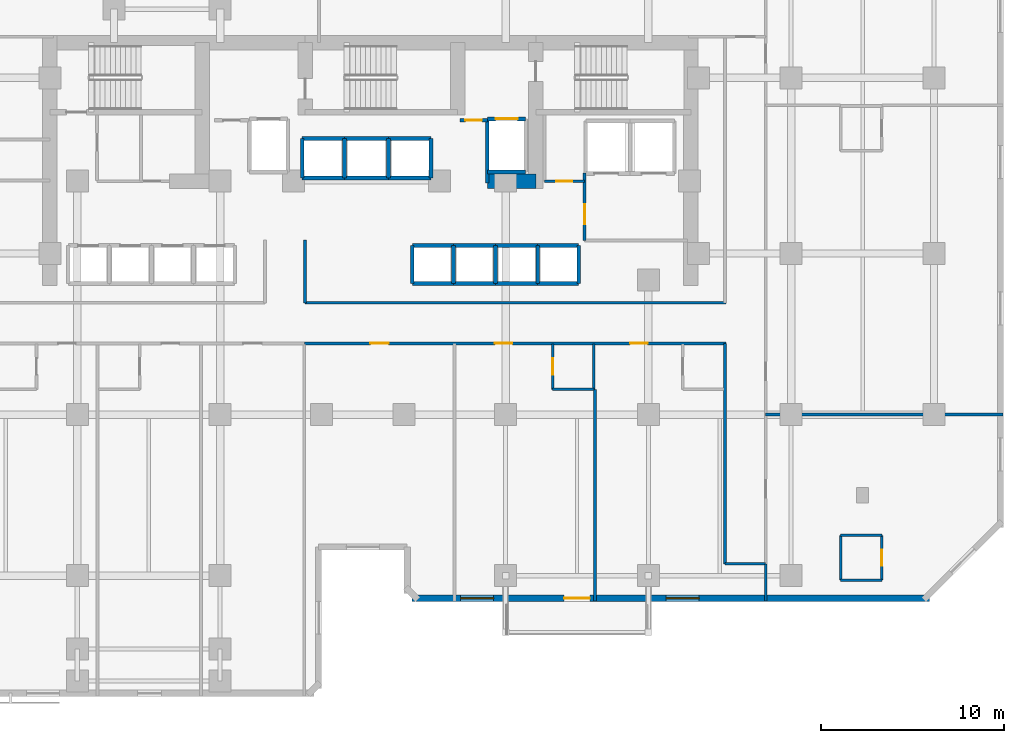
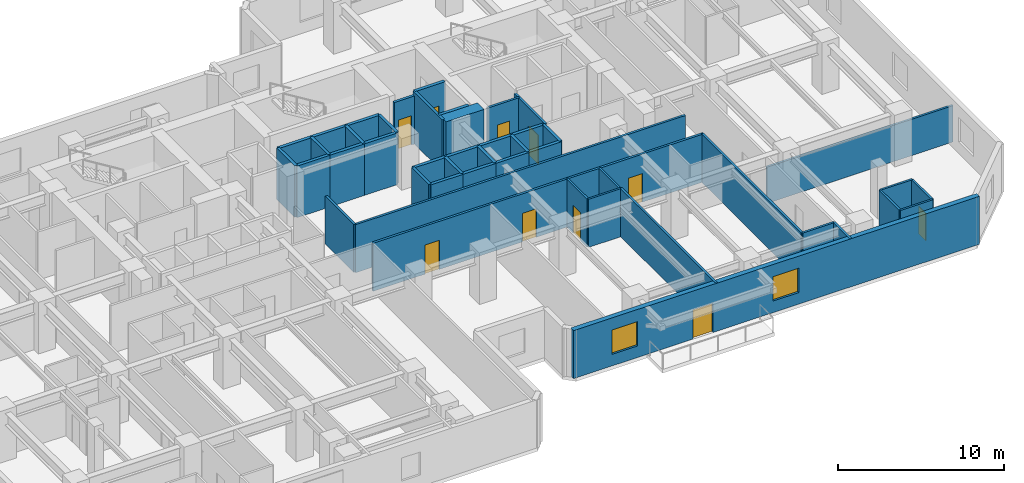
# One storey, part 8 of 13: 46 walls, 10 doors, 2 windows, 12 openings.
"""IFC4 building model written with IfcOpenShell, lengths in metres."""

import ifcopenshell
import ifcopenshell.guid

model = None  # the IFC model being written
_history = None  # IfcOwnerHistory: only IFC2X3 demands one
_inside = {}  # id of a spatial element -> (the spatial element, [elements in it])
_under = {}  # id of a project, library or spatial element -> (it, [spatial elements below it])
_declared = {}  # id of a project -> (the project, [libraries it declares])
_typed = {}  # id of a type object -> (the type object, [elements of that type])
_made_of = {}  # id of a material, layer set ... -> (it, [elements and type objects made of it])


def new_model(schema):
    """Start an empty IFC model of exactly this schema.

    Asked for "IFC4X3", IfcOpenShell would pick the latest addendum, in which some entities
    have other attributes; the version numbers below select the first issue.
    IFC2X3 requires an IfcOwnerHistory on every rooted entity: one is made here for all.
    """
    global model, _history
    if schema == "IFC4X3":
        model = ifcopenshell.file(schema_version=(4, 3, 0, 0))
    else:
        model = ifcopenshell.file(schema=schema)
    _inside.clear()
    _under.clear()
    _declared.clear()
    _typed.clear()
    _made_of.clear()
    _history = None
    if model.schema == "IFC2X3":
        org = make("IfcOrganization", Name="unknown")
        user = make(
            "IfcPersonAndOrganization",
            ThePerson=make("IfcPerson", FamilyName="unknown"),
            TheOrganization=org,
        )
        app = make(
            "IfcApplication",
            ApplicationDeveloper=org,
            Version="unknown",
            ApplicationFullName="unknown",
            ApplicationIdentifier="unknown",
        )
        _history = make(
            "IfcOwnerHistory",
            OwningUser=user,
            OwningApplication=app,
            ChangeAction="ADDED",
            CreationDate=0,
        )
    return model


def make(cls, **values):
    """One entity of the class cls with the attributes given. An attribute that is None is left unset."""
    return model.create_entity(
        cls, **{name: value for name, value in values.items() if value is not None}
    )


def rooted(cls, **values):
    """An entity with a GlobalId (a new one), such as an element, a storey or a relation."""
    return make(cls, GlobalId=ifcopenshell.guid.new(), OwnerHistory=_history, **values)


def si_unit(unit_type, name, prefix=None):
    """IfcSIUnit, for example si_unit("LENGTHUNIT", "METRE", prefix="MILLI")."""
    return make("IfcSIUnit", UnitType=unit_type, Prefix=prefix, Name=name)


def assignment(units):
    """IfcUnitAssignment: the units of a project."""
    return None if units is None else make("IfcUnitAssignment", Units=units)


def point(xyz):
    """IfcCartesianPoint."""
    return None if xyz is None else make("IfcCartesianPoint", Coordinates=xyz)


def direction(xyz):
    """IfcDirection."""
    return None if xyz is None else make("IfcDirection", DirectionRatios=xyz)


def frame(location, z_axis=None, x_axis=None):
    """IfcAxis2Placement3D, a coordinate frame: its origin and axes. An axis left out is left unset."""
    return make(
        "IfcAxis2Placement3D",
        Location=point(location),
        Axis=direction(z_axis),
        RefDirection=direction(x_axis),
    )


def frame_2d(location, x_axis=None):
    """IfcAxis2Placement2D, a coordinate frame in the plane: its origin and x axis."""
    return make(
        "IfcAxis2Placement2D", Location=point(location), RefDirection=direction(x_axis)
    )


def origin():
    """The frame at (0, 0, 0) with its axes left unset."""
    return frame((0.0, 0.0, 0.0))


def place(relative_to, where):
    """IfcLocalPlacement: puts the frame where relative to a parent placement (None: the world)."""
    return make(
        "IfcLocalPlacement", PlacementRelTo=relative_to, RelativePlacement=where
    )


def context(
    kind, dimensions, precision=None, world=None, true_north=None, identifier=None
):
    """IfcGeometricRepresentationContext, for example the 3D "Model" context."""
    return make(
        "IfcGeometricRepresentationContext",
        ContextIdentifier=identifier,
        ContextType=kind,
        CoordinateSpaceDimension=dimensions,
        Precision=precision,
        WorldCoordinateSystem=world,
        TrueNorth=true_north,
    )


def subcontext(parent, identifier, kind, view, scale=None):
    """IfcGeometricRepresentationSubContext, for example "Body" below "Model"."""
    return make(
        "IfcGeometricRepresentationSubContext",
        ContextIdentifier=identifier,
        ContextType=kind,
        ParentContext=parent,
        TargetScale=scale,
        TargetView=view,
    )


def project(units=None, contexts=None):
    """IfcProject with its units and contexts."""
    return rooted(
        "IfcProject",
        Name="project",
        RepresentationContexts=contexts,
        UnitsInContext=assignment(units),
    )


def spatial(cls, under=None, at=None, **own):
    """A site, building, storey or space (cls), placed at a placement, below another one or the project."""
    s = rooted(cls, ObjectPlacement=at, **own)
    if under is not None:
        _under.setdefault(under.id(), (under, []))[1].append(s)
    return s


def profile(cls, at=None, kind="AREA", **sizes):
    """A parametric profile (cls). Its sizes go by their IFC names, for example OverallWidth=200.0."""
    return make(cls, ProfileType=kind, Position=at, **sizes)


def rectangle(**sizes):
    """IfcRectangleProfileDef."""
    return profile("IfcRectangleProfileDef", **sizes)


def extrude(swept, where, along, depth):
    """IfcExtrudedAreaSolid: the profile swept, set in the frame where, extruded along a direction by depth."""
    return make(
        "IfcExtrudedAreaSolid",
        SweptArea=swept,
        Position=where,
        ExtrudedDirection=direction(along),
        Depth=depth,
    )


def shape(context_of_items, identifier, shape_type, items):
    """IfcShapeRepresentation: the items that make up one representation, for example the "Body"."""
    return make(
        "IfcShapeRepresentation",
        ContextOfItems=context_of_items,
        RepresentationIdentifier=identifier,
        RepresentationType=shape_type,
        Items=items,
    )


def material(Name=None, Category=None):
    """IfcMaterial."""
    return make("IfcMaterial", Name=Name, Category=Category)


def layer(
    of_material, thickness, ventilated=None, Name=None, Category=None, Priority=None
):
    """IfcMaterialLayer: one layer of a wall or slab, of a material (None: an air gap)."""
    return make(
        "IfcMaterialLayer",
        Material=of_material,
        LayerThickness=thickness,
        IsVentilated=ventilated,
        Name=Name,
        Category=Category,
        Priority=Priority,
    )


def layer_set(layers, Name=None):
    """IfcMaterialLayerSet."""
    return make("IfcMaterialLayerSet", MaterialLayers=layers, LayerSetName=Name)


def made_of(thing, what):
    """Note that an element or type object is made of a material, layer set ...; save() writes the relation."""
    if what is not None:
        _made_of.setdefault(what.id(), (what, []))[1].append(thing)
    return thing


def type_object(cls, material=None, **own):
    """A type object (cls), such as IfcWallType, which elements share."""
    return made_of(rooted(cls, **own), material)


def element(
    cls,
    number,
    at=None,
    inside=None,
    cuts=None,
    type_object=None,
    material=None,
    context=None,
    identifier="Body",
    shape_type=None,
    held_by="IfcProductDefinitionShape",
    body=None,
    shapes=None,
    **own,
):
    """One element of the class cls, such as IfcWall. Its Tag is "e" and its number.

    at: its placement. inside: the storey or other place that contains it. cuts: it is an
    opening in that element (IfcRelVoidsElement). A single representation is given by context,
    identifier, shape_type and body (its items); several are given by shapes. held_by: the class
    of the entity that holds the representations. save() writes the other relations.
    """
    e = rooted(cls, Tag="e%d" % number, ObjectPlacement=at, **own)
    if body is not None:
        shapes = [shape(context, identifier, shape_type, body)]
    if shapes is not None:
        e.Representation = make(held_by, Representations=shapes)
    if inside is not None:
        _inside.setdefault(inside.id(), (inside, []))[1].append(e)
    if cuts is not None:
        rooted(
            "IfcRelVoidsElement", RelatingBuildingElement=cuts, RelatedOpeningElement=e
        )
    if type_object is not None:
        _typed.setdefault(type_object.id(), (type_object, []))[1].append(e)
    return made_of(e, material)


def fill(opening, filler):
    """IfcRelFillsElement: the door or window that sits in an opening."""
    return rooted(
        "IfcRelFillsElement",
        RelatingOpeningElement=opening,
        RelatedBuildingElement=filler,
    )


def aggregate(whole, parts):
    """IfcRelAggregates: a whole, such as a stair, and the parts it consists of."""
    return rooted("IfcRelAggregates", RelatingObject=whole, RelatedObjects=parts)


def save(model, path):
    """Write the relations noted so far, then the file.

    IfcRelAggregates (storeys below a building ...), IfcRelContainedInSpatialStructure (elements
    in a storey), IfcRelDefinesByType, IfcRelAssociatesMaterial and IfcRelDeclares: one each for
    every whole, place, type object, material and project.
    """
    for whole, parts in _under.values():
        aggregate(whole, parts)
    for where, things in _inside.values():
        rooted(
            "IfcRelContainedInSpatialStructure",
            RelatedElements=things,
            RelatingStructure=where,
        )
    for kind, things in _typed.values():
        rooted("IfcRelDefinesByType", RelatedObjects=things, RelatingType=kind)
    for what, things in _made_of.values():
        rooted("IfcRelAssociatesMaterial", RelatedObjects=things, RelatingMaterial=what)
    for by, libraries in _declared.values():
        rooted("IfcRelDeclares", RelatingContext=by, RelatedDefinitions=libraries)
    model.write(path)


model = new_model("IFC4")

# Units and contexts
model_context = context("Model", 3, precision=1e-05, world=origin(), true_north=direction((0.0, 1.0)))
body_context = subcontext(model_context, "Body", "Model", "MODEL_VIEW")
ifc_project = project(units=[si_unit("LENGTHUNIT", "METRE"), si_unit("AREAUNIT", "SQUARE_METRE"), si_unit("VOLUMEUNIT", "CUBIC_METRE"), si_unit("PLANEANGLEUNIT", "RADIAN"), si_unit("MASSUNIT", "GRAM", prefix="KILO")], contexts=[model_context])

# Site, building, storey
site_placement = place(None, origin())
site = spatial("IfcSite", under=ifc_project, at=site_placement, CompositionType="ELEMENT")
building_placement = place(site_placement, origin())
building = spatial("IfcBuilding", under=site, at=building_placement, Name="Kestravale Grand Hotel", CompositionType="ELEMENT")
storey_placement = place(building_placement, frame((0.0, 0.0, 88.0)))
storey = spatial("IfcBuildingStorey", under=building, at=storey_placement, Name="L21", CompositionType="ELEMENT", Elevation=88.0)

# Wall
ifc_material_1 = material(Name="Concrete f'c 60 MPa", Category="concrete")
ifc_layer_1 = layer(ifc_material_1, 0.800048828125)
ifc_layer_set_1 = layer_set([ifc_layer_1], Name="EW-CORE-800")
wall_type_1 = type_object("IfcWallType", Name="EW-CORE-800", PredefinedType="SHEAR", material=ifc_layer_set_1)
wall_1_placement = place(storey_placement, frame((45.81005859375, 32.75, 0.0), z_axis=(0.0, 0.0, 1.0), x_axis=(1.0, 0.0, 0.0)))
element("IfcWall", 1, at=wall_1_placement, inside=storey, type_object=wall_type_1, Name="L21 core shear wall S2", PredefinedType="SHEAR", context=body_context, shape_type="SweptSolid", body=[
    extrude(rectangle(XDim=2.639892578125, YDim=0.800048828125, at=frame_2d((1.31982421875, 0.0))), origin(), (0.0, 0.0, 1.0), 3.800048828125),
])

# Wall, openings, door, windows
ifc_material_2 = material(Name="Precast concrete f'c 45 MPa", Category="concrete")
ifc_layer_2 = layer(ifc_material_2, 0.340087890625)
ifc_layer_set_2 = layer_set([ifc_layer_2], Name="EW-PREC-340")
wall_type_2 = type_object("IfcWallType", Name="EW-PREC-340", PredefinedType="SOLIDWALL", material=ifc_layer_set_2)
wall_2_placement = place(storey_placement, frame((41.679931640625, 9.969970703125, 0.0), z_axis=(0.0, 0.0, 1.0), x_axis=(1.0, 0.0, 0.0)))
wall_2 = element("IfcWall", 2, at=wall_2_placement, inside=storey, type_object=wall_type_2, Name="L21 fluted precast facade wall 7", PredefinedType="SOLIDWALL", context=body_context, shape_type="SweptSolid", body=[
    extrude(rectangle(XDim=28.2900390625, YDim=0.340087890625, at=frame_2d((14.14501953125, 0.0))), origin(), (0.0, 0.0, 1.0), 3.5400390625),
])
opening_1_placement = place(wall_2_placement, frame((8.320068359375, 0.0, 0.0)))
opening_1 = element("IfcOpeningElement", 3, at=opening_1_placement, cuts=wall_2, Name="Opening D-TERR-1400", PredefinedType="OPENING", context=body_context, shape_type="SweptSolid", body=[
    extrude(rectangle(XDim=1.39990234375, YDim=2.14990234375, at=frame_2d((0.699951171875, 1.074951171875))), frame((0.0, 0.179931640625, 0.0), z_axis=(0.0, -1.0, 0.0), x_axis=(1.0, 0.0, 0.0)), (0.0, 0.0, 1.0), 0.360107421875),
])
opening_2_placement = place(wall_2_placement, frame((2.6650390625, 0.0, 0.85009765625)))
opening_2 = element("IfcOpeningElement", 4, at=opening_2_placement, cuts=wall_2, Name="Opening W-GUEST-1800", PredefinedType="OPENING", context=body_context, shape_type="SweptSolid", body=[
    extrude(rectangle(XDim=1.800048828125, YDim=1.800048828125, at=frame_2d((0.89990234375, 0.89990234375))), frame((0.0, 0.179931640625, 0.0), z_axis=(0.0, -1.0, 0.0), x_axis=(1.0, 0.0, 0.0)), (0.0, 0.0, 1.0), 0.360107421875),
])
opening_3_placement = place(wall_2_placement, frame((13.89501953125, 0.0, 0.85009765625)))
opening_3 = element("IfcOpeningElement", 5, at=opening_3_placement, cuts=wall_2, Name="Opening W-GUEST-1800", PredefinedType="OPENING", context=body_context, shape_type="SweptSolid", body=[
    extrude(rectangle(XDim=1.800048828125, YDim=1.800048828125, at=frame_2d((0.89990234375, 0.89990234375))), frame((0.0, 0.179931640625, 0.0), z_axis=(0.0, -1.0, 0.0), x_axis=(1.0, 0.0, 0.0)), (0.0, 0.0, 1.0), 0.360107421875),
])
ifc_material_3 = material(Name="Insulated glazed champagne-bronze aluminium door", Category="aluminium")
door_type_1 = type_object("IfcDoorType", Name="D-TERR-1400", OperationType="NOTDEFINED", PredefinedType="DOOR", material=ifc_material_3)
door_1_placement = place(opening_1_placement, origin())
door_1 = element("IfcDoor", 6, at=door_1_placement, inside=storey, type_object=door_type_1, Name="L21 outdoor garden terrace door", OperationType="DOUBLE_DOOR_SINGLE_SWING", OverallHeight=2.14990234375, OverallWidth=1.39990234375, PredefinedType="DOOR", context=body_context, shape_type="SweptSolid", body=[
    extrude(rectangle(XDim=1.39990234375, YDim=2.14990234375, at=frame_2d((0.699951171875, 1.074951171875))), frame((0.0, 0.02490234375, 0.0), z_axis=(0.0, -1.0, 0.0), x_axis=(1.0, 0.0, 0.0)), (0.0, 0.0, 1.0), 0.050048828125),
])
fill(opening_1, door_1)
ifc_material_4 = material(Name="Insulated low-E double glazing in aluminium frame", Category="aluminium")
window_type = type_object("IfcWindowType", Name="W-GUEST-1800", PartitioningType="DOUBLE_PANEL_VERTICAL", PredefinedType="WINDOW", material=ifc_material_4)
window_1_placement = place(opening_2_placement, origin())
window_1 = element("IfcWindow", 7, at=window_1_placement, inside=storey, type_object=window_type, Name="L21 exterior window 7.1", OverallHeight=1.800048828125, OverallWidth=1.800048828125, PartitioningType="SINGLE_PANEL", PredefinedType="WINDOW", context=body_context, shape_type="SweptSolid", body=[
    extrude(rectangle(XDim=1.800048828125, YDim=1.800048828125, at=frame_2d((0.89990234375, 0.89990234375))), frame((0.0, 0.030029296875, 0.0), z_axis=(0.0, -1.0, 0.0), x_axis=(1.0, 0.0, 0.0)), (0.0, 0.0, 1.0), 0.06005859375),
])
fill(opening_2, window_1)
window_2_placement = place(opening_3_placement, origin())
window_2 = element("IfcWindow", 8, at=window_2_placement, inside=storey, type_object=window_type, Name="L21 exterior window 7.2", OverallHeight=1.800048828125, OverallWidth=1.800048828125, PartitioningType="SINGLE_PANEL", PredefinedType="WINDOW", context=body_context, shape_type="SweptSolid", body=[
    extrude(rectangle(XDim=1.800048828125, YDim=1.800048828125, at=frame_2d((0.89990234375, 0.89990234375))), frame((0.0, 0.030029296875, 0.0), z_axis=(0.0, -1.0, 0.0), x_axis=(1.0, 0.0, 0.0)), (0.0, 0.0, 1.0), 0.06005859375),
])
fill(opening_3, window_2)

# Wall, opening, door
ifc_material_5 = material(Name="Acoustic fire-rated gypsum board partition", Category="other")
ifc_layer_3 = layer(ifc_material_5, 0.159912109375)
ifc_layer_set_3 = layer_set([ifc_layer_3], Name="IW-CORR-160")
wall_type_3 = type_object("IfcWallType", Name="IW-CORR-160", PredefinedType="PARTITIONING", material=ifc_layer_set_3)
wall_3_placement = place(storey_placement, frame((51.1201171875, 29.5, 0.0), z_axis=(0.0, 0.0, 1.0), x_axis=(0.0, 1.0, 0.0)))
wall_3 = element("IfcWall", 9, at=wall_3_placement, inside=storey, type_object=wall_type_3, Name="W-L21-SVCLOB-W", PredefinedType="PARTITIONING", context=body_context, shape_type="SweptSolid", body=[
    extrude(rectangle(XDim=3.699951171875, YDim=0.159912109375, at=frame_2d((1.85009765625, 0.0))), origin(), (0.0, 0.0, 1.0), 3.5400390625),
])
opening_4_placement = place(wall_3_placement, frame((0.89990234375, 0.0, 0.0)))
opening_4 = element("IfcOpeningElement", 10, at=opening_4_placement, cuts=wall_3, Name="Opening D-CORR-1100", PredefinedType="OPENING", context=body_context, shape_type="SweptSolid", body=[
    extrude(rectangle(XDim=1.10009765625, YDim=2.14990234375, at=frame_2d((0.550048828125, 1.074951171875))), frame((0.0, 0.08984375, 0.0), z_axis=(0.0, -1.0, 0.0), x_axis=(1.0, 0.0, 0.0)), (0.0, 0.0, 1.0), 0.179931640625),
])
ifc_material_6 = material(Name="Single-leaf service vestibule fire door", Category="steel")
door_type_2 = type_object("IfcDoorType", Name="D-CORR-1100", OperationType="NOTDEFINED", PredefinedType="DOOR", material=ifc_material_6)
door_2_placement = place(opening_4_placement, origin())
door_2 = element("IfcDoor", 11, at=door_2_placement, inside=storey, type_object=door_type_2, Name="L21 service lift lobby door", OperationType="SINGLE_SWING_LEFT", OverallHeight=2.14990234375, OverallWidth=1.10009765625, PredefinedType="DOOR", context=body_context, shape_type="SweptSolid", body=[
    extrude(rectangle(XDim=1.10009765625, YDim=2.14990234375, at=frame_2d((0.550048828125, 1.074951171875))), frame((0.0, 0.02490234375, 0.0), z_axis=(0.0, -1.0, 0.0), x_axis=(1.0, 0.0, 0.0)), (0.0, 0.0, 1.0), 0.050048828125),
])
fill(opening_4, door_2)

wall_4_placement = place(storey_placement, frame((48.919921875, 32.75, 0.0), z_axis=(0.0, 0.0, 1.0), x_axis=(1.0, 0.0, 0.0)))
wall_4 = element("IfcWall", 12, at=wall_4_placement, inside=storey, type_object=wall_type_3, Name="W-L21-CES", PredefinedType="PARTITIONING", context=body_context, shape_type="SweptSolid", body=[
    extrude(rectangle(XDim=2.2001953125, YDim=0.159912109375, at=frame_2d((1.10009765625, 0.0))), origin(), (0.0, 0.0, 1.0), 3.5400390625),
])
opening_5_placement = place(wall_4_placement, frame((0.64990234375, 0.0, 0.0)))
opening_5 = element("IfcOpeningElement", 13, at=opening_5_placement, cuts=wall_4, Name="Opening D-SH-860", PredefinedType="OPENING", context=body_context, shape_type="SweptSolid", body=[
    extrude(rectangle(XDim=0.860107421875, YDim=2.050048828125, at=frame_2d((0.43017578125, 1.02490234375))), frame((0.0, 0.08984375, 0.0), z_axis=(0.0, -1.0, 0.0), x_axis=(1.0, 0.0, 0.0)), (0.0, 0.0, 1.0), 0.179931640625),
])
ifc_material_7 = material(Name="Galvanised 90-minute riser fire door", Category="steel")
door_type_3 = type_object("IfcDoorType", Name="D-SH-860", OperationType="NOTDEFINED", PredefinedType="DOOR", material=ifc_material_7)
door_3_placement = place(opening_5_placement, origin())
door_3 = element("IfcDoor", 14, at=door_3_placement, inside=storey, type_object=door_type_3, Name="L21 CSTO1 door", OperationType="SINGLE_SWING_RIGHT", OverallHeight=2.050048828125, OverallWidth=0.860107421875, PredefinedType="DOOR", context=body_context, shape_type="SweptSolid", body=[
    extrude(rectangle(XDim=0.860107421875, YDim=2.050048828125, at=frame_2d((0.43017578125, 1.02490234375))), frame((0.0, 0.02490234375, 0.0), z_axis=(0.0, -1.0, 0.0), x_axis=(1.0, 0.0, 0.0)), (0.0, 0.0, 1.0), 0.050048828125),
])
fill(opening_5, door_3)

# Walls
wall_5_placement = place(storey_placement, frame((35.85009765625, 26.110107421875, 0.0), z_axis=(0.0, 0.0, 1.0), x_axis=(1.0, 0.0, 0.0)))
element("IfcWall", 15, at=wall_5_placement, inside=storey, type_object=wall_type_3, Name="W-L21-CE-N", PredefinedType="PARTITIONING", context=body_context, shape_type="SweptSolid", body=[
    extrude(rectangle(XDim=23.0, YDim=0.159912109375, at=frame_2d((11.5, 0.0))), origin(), (0.0, 0.0, 1.0), 3.5400390625),
])
wall_6_placement = place(storey_placement, frame((35.85009765625, 26.110107421875, 0.0), z_axis=(0.0, 0.0, 1.0), x_axis=(0.0, 1.0, 0.0)))
element("IfcWall", 16, at=wall_6_placement, inside=storey, type_object=wall_type_3, Name="W-L21-TRUNK-E", PredefinedType="PARTITIONING", context=body_context, shape_type="SweptSolid", body=[
    extrude(rectangle(XDim=3.43994140625, YDim=0.159912109375, at=frame_2d((1.719970703125, 0.0))), origin(), (0.0, 0.0, 1.0), 3.5400390625),
])

# Wall, openings, doors
wall_7_placement = place(storey_placement, frame((35.800048828125, 23.889892578125, 0.0), z_axis=(0.0, 0.0, 1.0), x_axis=(1.0, 0.0, 0.0)))
wall_7 = element("IfcWall", 17, at=wall_7_placement, inside=storey, type_object=wall_type_3, Name="W-L21-CE-S", PredefinedType="PARTITIONING", context=body_context, shape_type="SweptSolid", body=[
    extrude(rectangle(XDim=23.050048828125, YDim=0.159912109375, at=frame_2d((11.52490234375, 0.0))), origin(), (0.0, 0.0, 1.0), 3.5400390625),
])
opening_6_placement = place(wall_7_placement, frame((3.606689453125, 0.0, 0.0)))
opening_6 = element("IfcOpeningElement", 18, at=opening_6_placement, cuts=wall_7, Name="Opening D-GUEST-1000", PredefinedType="OPENING", context=body_context, shape_type="SweptSolid", body=[
    extrude(rectangle(XDim=1.0, YDim=2.14990234375, at=frame_2d((0.5, 1.074951171875))), frame((0.0, 0.08984375, 0.0), z_axis=(0.0, -1.0, 0.0), x_axis=(1.0, 0.0, 0.0)), (0.0, 0.0, 1.0), 0.179931640625),
])
opening_7_placement = place(wall_7_placement, frame((10.4150390625, 0.0, 0.0)))
opening_7 = element("IfcOpeningElement", 19, at=opening_7_placement, cuts=wall_7, Name="Opening D-GUEST-950", PredefinedType="OPENING", context=body_context, shape_type="SweptSolid", body=[
    extrude(rectangle(XDim=0.949951171875, YDim=2.10009765625, at=frame_2d((0.47509765625, 1.050048828125))), frame((0.0, 0.08984375, 0.0), z_axis=(0.0, -1.0, 0.0), x_axis=(1.0, 0.0, 0.0)), (0.0, 0.0, 1.0), 0.179931640625),
])
opening_8_placement = place(wall_7_placement, frame((17.803466796875, 0.0, 0.0)))
opening_8 = element("IfcOpeningElement", 20, at=opening_8_placement, cuts=wall_7, Name="Opening D-GUEST-950", PredefinedType="OPENING", context=body_context, shape_type="SweptSolid", body=[
    extrude(rectangle(XDim=0.949951171875, YDim=2.10009765625, at=frame_2d((0.47509765625, 1.050048828125))), frame((0.0, 0.08984375, 0.0), z_axis=(0.0, -1.0, 0.0), x_axis=(1.0, 0.0, 0.0)), (0.0, 0.0, 1.0), 0.179931640625),
])
ifc_material_8 = material(Name="Accessible walnut veneer hotel entrance fire door", Category="wood")
door_type_4 = type_object("IfcDoorType", Name="D-GUEST-1000", OperationType="NOTDEFINED", PredefinedType="DOOR", material=ifc_material_8)
door_4_placement = place(opening_6_placement, origin())
door_4 = element("IfcDoor", 21, at=door_4_placement, inside=storey, type_object=door_type_4, Name="D-L21-AME", OperationType="SINGLE_SWING_RIGHT", OverallHeight=2.14990234375, OverallWidth=1.0, PredefinedType="DOOR", context=body_context, shape_type="SweptSolid", body=[
    extrude(rectangle(XDim=1.0, YDim=2.14990234375, at=frame_2d((0.5, 1.074951171875))), frame((0.0, 0.02490234375, 0.0), z_axis=(0.0, -1.0, 0.0), x_axis=(1.0, 0.0, 0.0)), (0.0, 0.0, 1.0), 0.050048828125),
])
fill(opening_6, door_4)
ifc_material_9 = material(Name="Walnut veneer hotel guestroom entrance fire door", Category="wood")
door_type_5 = type_object("IfcDoorType", Name="D-GUEST-950", OperationType="NOTDEFINED", PredefinedType="DOOR", material=ifc_material_9)
door_5_placement = place(opening_7_placement, origin())
door_5 = element("IfcDoor", 22, at=door_5_placement, inside=storey, type_object=door_type_5, Name="D-L21-U03-ENT", OperationType="SINGLE_SWING_RIGHT", OverallHeight=2.10009765625, OverallWidth=0.949951171875, PredefinedType="DOOR", context=body_context, shape_type="SweptSolid", body=[
    extrude(rectangle(XDim=0.949951171875, YDim=2.10009765625, at=frame_2d((0.47509765625, 1.050048828125))), frame((0.0, 0.02490234375, 0.0), z_axis=(0.0, -1.0, 0.0), x_axis=(1.0, 0.0, 0.0)), (0.0, 0.0, 1.0), 0.050048828125),
])
fill(opening_7, door_5)
door_6_placement = place(opening_8_placement, origin())
door_6 = element("IfcDoor", 23, at=door_6_placement, inside=storey, type_object=door_type_5, Name="D-L21-U04-ENT", OperationType="SINGLE_SWING_RIGHT", OverallHeight=2.10009765625, OverallWidth=0.949951171875, PredefinedType="DOOR", context=body_context, shape_type="SweptSolid", body=[
    extrude(rectangle(XDim=0.949951171875, YDim=2.10009765625, at=frame_2d((0.47509765625, 1.050048828125))), frame((0.0, 0.02490234375, 0.0), z_axis=(0.0, -1.0, 0.0), x_axis=(1.0, 0.0, 0.0)), (0.0, 0.0, 1.0), 0.050048828125),
])
fill(opening_8, door_6)

# Wall
wall_8_placement = place(storey_placement, frame((58.7900390625, 11.85009765625, 0.0), z_axis=(0.0, 0.0, 1.0), x_axis=(0.0, 1.0, 0.0)))
element("IfcWall", 24, at=wall_8_placement, inside=storey, type_object=wall_type_3, Name="W-L21-SE-W", PredefinedType="PARTITIONING", context=body_context, shape_type="SweptSolid", body=[
    extrude(rectangle(XDim=12.039794921875, YDim=0.159912109375, at=frame_2d((6.02001953125, 0.0))), origin(), (0.0, 0.0, 1.0), 3.5400390625),
])

# Wall, opening, door
ifc_material_10 = material(Name="Fire-rated gypsum board on steel studs with mineral wool", Category="steel")
ifc_layer_4 = layer(ifc_material_10, 0.179931640625)
ifc_layer_set_4 = layer_set([ifc_layer_4], Name="IW-FSAE-180")
wall_type_4 = type_object("IfcWallType", Name="IW-FSAE-180", PredefinedType="PARTITIONING", material=ifc_layer_set_4)
wall_9_placement = place(storey_placement, frame((44.300048828125, 36.080078125, 0.0), z_axis=(0.0, 0.0, 1.0), x_axis=(1.0, 0.0, 0.0)))
wall_9 = element("IfcWall", 25, at=wall_9_placement, inside=storey, type_object=wall_type_4, Name="L21 FSAE Lobby 2 smoke barrier", PredefinedType="PARTITIONING", context=body_context, shape_type="SweptSolid", body=[
    extrude(rectangle(XDim=1.5, YDim=0.179931640625, at=frame_2d((0.75, 0.0))), origin(), (0.0, 0.0, 1.0), 3.5400390625),
])
opening_9_placement = place(wall_9_placement, frame((0.300048828125, 0.0, 0.0)))
opening_9 = element("IfcOpeningElement", 26, at=opening_9_placement, cuts=wall_9, Name="Opening D-FSAE-1000", PredefinedType="OPENING", context=body_context, shape_type="SweptSolid", body=[
    extrude(rectangle(XDim=0.89990234375, YDim=2.14990234375, at=frame_2d((0.449951171875, 1.074951171875))), frame((0.0, 0.099853515625, 0.0), z_axis=(0.0, -1.0, 0.0), x_axis=(1.0, 0.0, 0.0)), (0.0, 0.0, 1.0), 0.199951171875),
])
ifc_material_11 = material(Name="Smoke-gasketed FSAE lobby fire door", Category="steel")
door_type_6 = type_object("IfcDoorType", Name="D-FSAE-1000", OperationType="NOTDEFINED", PredefinedType="DOOR", material=ifc_material_11)
door_7_placement = place(opening_9_placement, origin())
door_7 = element("IfcDoor", 27, at=door_7_placement, inside=storey, type_object=door_type_6, Name="L21 FSAE Lobby 2 fire door", OperationType="SINGLE_SWING_LEFT", OverallHeight=2.14990234375, OverallWidth=0.89990234375, PredefinedType="DOOR", context=body_context, shape_type="SweptSolid", body=[
    extrude(rectangle(XDim=0.89990234375, YDim=2.14990234375, at=frame_2d((0.449951171875, 1.074951171875))), frame((0.0, 0.02490234375, 0.0), z_axis=(0.0, -1.0, 0.0), x_axis=(1.0, 0.0, 0.0)), (0.0, 0.0, 1.0), 0.050048828125),
])
fill(opening_9, door_7)

ifc_material_12 = material(Name="Moisture-resistant tile-backer plumbing chase wall", Category="other")
ifc_layer_5 = layer(ifc_material_12, 0.139892578125)
ifc_layer_set_5 = layer_set([ifc_layer_5], Name="IW-PLB-140")
wall_type_5 = type_object("IfcWallType", Name="IW-PLB-140", PredefinedType="PLUMBINGWALL", material=ifc_layer_set_5)
wall_10_placement = place(storey_placement, frame((49.36669921875, 21.3798828125, 0.0), z_axis=(0.0, 0.0, 1.0), x_axis=(0.0, 1.0, 0.0)))
wall_10 = element("IfcWall", 28, at=wall_10_placement, inside=storey, type_object=wall_type_5, Name="W-L21-U03-BW", PredefinedType="PLUMBINGWALL", context=body_context, shape_type="SweptSolid", body=[
    extrude(rectangle(XDim=2.490234375, YDim=0.139892578125, at=frame_2d((1.2451171875, 0.0))), origin(), (0.0, 0.0, 1.0), 3.5400390625),
])
opening_10_placement = place(wall_10_placement, frame((0.804931640625, 0.0, 0.0)))
opening_10 = element("IfcOpeningElement", 29, at=opening_10_placement, cuts=wall_10, Name="Opening D-BATH-880", PredefinedType="OPENING", context=body_context, shape_type="SweptSolid", body=[
    extrude(rectangle(XDim=0.8798828125, YDim=2.050048828125, at=frame_2d((0.43994140625, 1.02490234375))), frame((0.0, 0.079833984375, 0.0), z_axis=(0.0, -1.0, 0.0), x_axis=(1.0, 0.0, 0.0)), (0.0, 0.0, 1.0), 0.159912109375),
])
ifc_material_13 = material(Name="Moisture-sealed walnut en-suite bathroom door", Category="wood")
door_type_7 = type_object("IfcDoorType", Name="D-BATH-880", OperationType="NOTDEFINED", PredefinedType="DOOR", material=ifc_material_13)
door_8_placement = place(opening_10_placement, origin())
door_8 = element("IfcDoor", 30, at=door_8_placement, inside=storey, type_object=door_type_7, Name="D-L21-U03-BATH", OperationType="SINGLE_SWING_LEFT", OverallHeight=2.050048828125, OverallWidth=0.8798828125, PredefinedType="DOOR", context=body_context, shape_type="SweptSolid", body=[
    extrude(rectangle(XDim=0.8798828125, YDim=2.050048828125, at=frame_2d((0.43994140625, 1.02490234375))), frame((0.0, 0.02490234375, 0.0), z_axis=(0.0, -1.0, 0.0), x_axis=(1.0, 0.0, 0.0)), (0.0, 0.0, 1.0), 0.050048828125),
])
fill(opening_10, door_8)

# Walls
wall_11_placement = place(storey_placement, frame((51.61669921875, 21.3798828125, 0.0), z_axis=(0.0, 0.0, 1.0), x_axis=(0.0, 1.0, 0.0)))
element("IfcWall", 31, at=wall_11_placement, inside=storey, type_object=wall_type_5, Name="W-L21-U03-BE", PredefinedType="PLUMBINGWALL", context=body_context, shape_type="SweptSolid", body=[
    extrude(rectangle(XDim=2.490234375, YDim=0.139892578125, at=frame_2d((1.2451171875, 0.0))), origin(), (0.0, 0.0, 1.0), 3.5400390625),
])
wall_12_placement = place(storey_placement, frame((49.36669921875, 21.3798828125, 0.0), z_axis=(0.0, 0.0, 1.0), x_axis=(1.0, 0.0, 0.0)))
element("IfcWall", 32, at=wall_12_placement, inside=storey, type_object=wall_type_5, Name="W-L21-U03-BS", PredefinedType="PLUMBINGWALL", context=body_context, shape_type="SweptSolid", body=[
    extrude(rectangle(XDim=2.25, YDim=0.139892578125, at=frame_2d((1.125, 0.0))), origin(), (0.0, 0.0, 1.0), 3.5400390625),
])
wall_13_placement = place(storey_placement, frame((65.10009765625, 10.949951171875, 0.0), z_axis=(0.0, 0.0, 1.0), x_axis=(0.0, 1.0, 0.0)))
element("IfcWall", 33, at=wall_13_placement, inside=storey, type_object=wall_type_5, Name="W-L21-U09-BW", PredefinedType="PLUMBINGWALL", context=body_context, shape_type="SweptSolid", body=[
    extrude(rectangle(XDim=2.449951171875, YDim=0.139892578125, at=frame_2d((1.22509765625, 0.0))), origin(), (0.0, 0.0, 1.0), 3.5400390625),
])

# Wall, opening, door
wall_14_placement = place(storey_placement, frame((67.35009765625, 10.949951171875, 0.0), z_axis=(0.0, 0.0, 1.0), x_axis=(0.0, 1.0, 0.0)))
wall_14 = element("IfcWall", 34, at=wall_14_placement, inside=storey, type_object=wall_type_5, Name="W-L21-U09-BE", PredefinedType="PLUMBINGWALL", context=body_context, shape_type="SweptSolid", body=[
    extrude(rectangle(XDim=2.449951171875, YDim=0.139892578125, at=frame_2d((1.22509765625, 0.0))), origin(), (0.0, 0.0, 1.0), 3.5400390625),
])
opening_11_placement = place(wall_14_placement, frame((0.784912109375, 0.0, 0.0)))
opening_11 = element("IfcOpeningElement", 35, at=opening_11_placement, cuts=wall_14, Name="Opening D-BATH-880", PredefinedType="OPENING", context=body_context, shape_type="SweptSolid", body=[
    extrude(rectangle(XDim=0.8798828125, YDim=2.050048828125, at=frame_2d((0.43994140625, 1.02490234375))), frame((0.0, 0.079833984375, 0.0), z_axis=(0.0, -1.0, 0.0), x_axis=(1.0, 0.0, 0.0)), (0.0, 0.0, 1.0), 0.159912109375),
])
door_9_placement = place(opening_11_placement, origin())
door_9 = element("IfcDoor", 36, at=door_9_placement, inside=storey, type_object=door_type_7, Name="D-L21-U09-BATH", OperationType="SINGLE_SWING_RIGHT", OverallHeight=2.050048828125, OverallWidth=0.8798828125, PredefinedType="DOOR", context=body_context, shape_type="SweptSolid", body=[
    extrude(rectangle(XDim=0.8798828125, YDim=2.050048828125, at=frame_2d((0.43994140625, 1.02490234375))), frame((0.0, 0.02490234375, 0.0), z_axis=(0.0, -1.0, 0.0), x_axis=(1.0, 0.0, 0.0)), (0.0, 0.0, 1.0), 0.050048828125),
])
fill(opening_11, door_9)

# Walls
for number, where, z_axis, x_axis, name in (
    (37, (65.10009765625, 10.949951171875, 0.0), (0.0, 0.0, 1.0), (1.0, 0.0, 0.0), "W-L21-U09-BS"),
    (38, (65.10009765625, 13.39990234375, 0.0), (0.0, 0.0, 1.0), (1.0, 0.0, 0.0), "W-L21-U09-BN"),
):
    element("IfcWall", number, at=place(storey_placement, frame(where, z_axis=z_axis, x_axis=x_axis)), inside=storey, type_object=wall_type_5, Name=name, PredefinedType="PLUMBINGWALL", context=body_context, shape_type="SweptSolid", body=[
        extrude(rectangle(XDim=2.25, YDim=0.139892578125, at=frame_2d((1.125, 0.0))), origin(), (0.0, 0.0, 1.0), 3.5400390625),
    ])
ifc_material_14 = material(Name="Concrete f'c 45 MPa", Category="concrete")
ifc_layer_6 = layer(ifc_material_14, 0.199951171875)
ifc_layer_set_6 = layer_set([ifc_layer_6], Name="IW-SHAFT-200")
wall_type_6 = type_object("IfcWallType", Name="IW-SHAFT-200", PredefinedType="SHEAR", material=ifc_layer_set_6)
for number, where, z_axis, x_axis, name in (
    (39, (41.705078125, 27.169921875, 0.0), (0.0, 0.0, 1.0), (0.0, 1.0, 0.0), "L21 PL-M1 west shaft wall"),
    (40, (43.949951171875, 27.169921875, 0.0), (0.0, 0.0, 1.0), (0.0, 1.0, 0.0), "L21 PL-M2 west shaft wall"),
    (41, (46.25, 27.169921875, 0.0), (0.0, 0.0, 1.0), (0.0, 1.0, 0.0), "L21 PL-M3 west shaft wall"),
    (42, (48.550048828125, 27.169921875, 0.0), (0.0, 0.0, 1.0), (0.0, 1.0, 0.0), "L21 PL-M4 west shaft wall"),
    (43, (50.794921875, 27.169921875, 0.0), (0.0, 0.0, 1.0), (0.0, 1.0, 0.0), "L21 PL-M4 east shaft wall"),
):
    element("IfcWall", number, at=place(storey_placement, frame(where, z_axis=z_axis, x_axis=x_axis)), inside=storey, type_object=wall_type_6, Name=name, PredefinedType="SHEAR", context=body_context, shape_type="SweptSolid", body=[
        extrude(rectangle(XDim=2.06005859375, YDim=0.199951171875, at=frame_2d((1.030029296875, 0.0))), origin(), (0.0, 0.0, 1.0), 3.800048828125),
    ])
for number, where, z_axis, x_axis, name in (
    (44, (35.679931640625, 32.919921875, 0.0), (0.0, 0.0, 1.0), (0.0, 1.0, 0.0), "L21 PL-X1 west shaft wall"),
    (45, (38.0, 32.919921875, 0.0), (0.0, 0.0, 1.0), (0.0, 1.0, 0.0), "L21 PL-X2 west shaft wall"),
    (46, (40.39990234375, 32.919921875, 0.0), (0.0, 0.0, 1.0), (0.0, 1.0, 0.0), "L21 PL-X3 west shaft wall"),
    (47, (42.719970703125, 32.919921875, 0.0), (0.0, 0.0, 1.0), (0.0, 1.0, 0.0), "L21 PL-X3 east shaft wall"),
):
    element("IfcWall", number, at=place(storey_placement, frame(where, z_axis=z_axis, x_axis=x_axis)), inside=storey, type_object=wall_type_6, Name=name, PredefinedType="SHEAR", context=body_context, shape_type="SweptSolid", body=[
        extrude(rectangle(XDim=2.16015625, YDim=0.199951171875, at=frame_2d((1.080078125, 0.0))), origin(), (0.0, 0.0, 1.0), 3.800048828125),
    ])
wall_15_placement = place(storey_placement, frame((45.804931640625, 32.64990234375, 0.0), z_axis=(0.0, 0.0, 1.0), x_axis=(0.0, 1.0, 0.0)))
element("IfcWall", 48, at=wall_15_placement, inside=storey, type_object=wall_type_6, Name="L21 FL-2 west shaft wall", PredefinedType="SHEAR", context=body_context, shape_type="SweptSolid", body=[
    extrude(rectangle(XDim=3.505126953125, YDim=0.199951171875, at=frame_2d((1.75244140625, 0.0))), origin(), (0.0, 0.0, 1.0), 3.800048828125),
])
ifc_material_15 = material(Name="Concrete f'c 45 MPa", Category="concrete")
ifc_layer_7 = layer(ifc_material_15, 0.219970703125)
ifc_layer_set_7 = layer_set([ifc_layer_7], Name="IW-SHAFT-220")
wall_type_7 = type_object("IfcWallType", Name="IW-SHAFT-220", PredefinedType="SHEAR", material=ifc_layer_set_7)
for number, where, z_axis, x_axis, name in (
    (49, (41.705078125, 29.22998046875, 0.0), (0.0, 0.0, 1.0), (1.0, 0.0, 0.0), "L21 PL-M1 north shaft wall"),
    (50, (41.705078125, 27.169921875, 0.0), (0.0, 0.0, 1.0), (1.0, 0.0, 0.0), "L21 PL-M1 south shaft wall"),
):
    element("IfcWall", number, at=place(storey_placement, frame(where, z_axis=z_axis, x_axis=x_axis)), inside=storey, type_object=wall_type_7, Name=name, PredefinedType="SHEAR", context=body_context, shape_type="SweptSolid", body=[
        extrude(rectangle(XDim=2.244873046875, YDim=0.219970703125, at=frame_2d((1.12255859375, 0.0))), origin(), (0.0, 0.0, 1.0), 3.800048828125),
    ])
for number, where, z_axis, x_axis, name in (
    (51, (43.949951171875, 29.22998046875, 0.0), (0.0, 0.0, 1.0), (1.0, 0.0, 0.0), "L21 PL-M2 north shaft wall"),
    (52, (43.949951171875, 27.169921875, 0.0), (0.0, 0.0, 1.0), (1.0, 0.0, 0.0), "L21 PL-M2 south shaft wall"),
    (53, (46.25, 29.22998046875, 0.0), (0.0, 0.0, 1.0), (1.0, 0.0, 0.0), "L21 PL-M3 north shaft wall"),
    (54, (46.25, 27.169921875, 0.0), (0.0, 0.0, 1.0), (1.0, 0.0, 0.0), "L21 PL-M3 south shaft wall"),
):
    element("IfcWall", number, at=place(storey_placement, frame(where, z_axis=z_axis, x_axis=x_axis)), inside=storey, type_object=wall_type_7, Name=name, PredefinedType="SHEAR", context=body_context, shape_type="SweptSolid", body=[
        extrude(rectangle(XDim=2.300048828125, YDim=0.219970703125, at=frame_2d((1.14990234375, 0.0))), origin(), (0.0, 0.0, 1.0), 3.800048828125),
    ])
for number, where, z_axis, x_axis, name in (
    (55, (48.550048828125, 29.22998046875, 0.0), (0.0, 0.0, 1.0), (1.0, 0.0, 0.0), "L21 PL-M4 north shaft wall"),
    (56, (48.550048828125, 27.169921875, 0.0), (0.0, 0.0, 1.0), (1.0, 0.0, 0.0), "L21 PL-M4 south shaft wall"),
):
    element("IfcWall", number, at=place(storey_placement, frame(where, z_axis=z_axis, x_axis=x_axis)), inside=storey, type_object=wall_type_7, Name=name, PredefinedType="SHEAR", context=body_context, shape_type="SweptSolid", body=[
        extrude(rectangle(XDim=2.244873046875, YDim=0.219970703125, at=frame_2d((1.12255859375, 0.0))), origin(), (0.0, 0.0, 1.0), 3.800048828125),
    ])
for number, where, z_axis, x_axis, name in (
    (57, (35.679931640625, 35.080078125, 0.0), (0.0, 0.0, 1.0), (1.0, 0.0, 0.0), "L21 PL-X1 north shaft wall"),
    (58, (35.679931640625, 32.919921875, 0.0), (0.0, 0.0, 1.0), (1.0, 0.0, 0.0), "L21 PL-X1 south shaft wall"),
):
    element("IfcWall", number, at=place(storey_placement, frame(where, z_axis=z_axis, x_axis=x_axis)), inside=storey, type_object=wall_type_7, Name=name, PredefinedType="SHEAR", context=body_context, shape_type="SweptSolid", body=[
        extrude(rectangle(XDim=2.320068359375, YDim=0.219970703125, at=frame_2d((1.16015625, 0.0))), origin(), (0.0, 0.0, 1.0), 3.800048828125),
    ])
for number, where, z_axis, x_axis, name in (
    (59, (38.0, 35.080078125, 0.0), (0.0, 0.0, 1.0), (1.0, 0.0, 0.0), "L21 PL-X2 north shaft wall"),
    (60, (38.0, 32.919921875, 0.0), (0.0, 0.0, 1.0), (1.0, 0.0, 0.0), "L21 PL-X2 south shaft wall"),
):
    element("IfcWall", number, at=place(storey_placement, frame(where, z_axis=z_axis, x_axis=x_axis)), inside=storey, type_object=wall_type_7, Name=name, PredefinedType="SHEAR", context=body_context, shape_type="SweptSolid", body=[
        extrude(rectangle(XDim=2.39990234375, YDim=0.219970703125, at=frame_2d((1.199951171875, 0.0))), origin(), (0.0, 0.0, 1.0), 3.800048828125),
    ])
for number, where, z_axis, x_axis, name in (
    (61, (40.39990234375, 35.080078125, 0.0), (0.0, 0.0, 1.0), (1.0, 0.0, 0.0), "L21 PL-X3 north shaft wall"),
    (62, (40.39990234375, 32.919921875, 0.0), (0.0, 0.0, 1.0), (1.0, 0.0, 0.0), "L21 PL-X3 south shaft wall"),
):
    element("IfcWall", number, at=place(storey_placement, frame(where, z_axis=z_axis, x_axis=x_axis)), inside=storey, type_object=wall_type_7, Name=name, PredefinedType="SHEAR", context=body_context, shape_type="SweptSolid", body=[
        extrude(rectangle(XDim=2.320068359375, YDim=0.219970703125, at=frame_2d((1.16015625, 0.0))), origin(), (0.0, 0.0, 1.0), 3.800048828125),
    ])

# Wall, opening, door
wall_16_placement = place(storey_placement, frame((45.804931640625, 36.155029296875, 0.0), z_axis=(0.0, 0.0, 1.0), x_axis=(1.0, 0.0, 0.0)))
wall_16 = element("IfcWall", 63, at=wall_16_placement, inside=storey, type_object=wall_type_7, Name="L21 FL-2 north shaft wall", PredefinedType="SHEAR", context=body_context, shape_type="SweptSolid", body=[
    extrude(rectangle(XDim=2.090087890625, YDim=0.219970703125, at=frame_2d((1.044921875, 0.0))), origin(), (0.0, 0.0, 1.0), 3.800048828125),
])
opening_12_placement = place(wall_16_placement, frame((0.445068359375, 0.0, 0.0)))
opening_12 = element("IfcOpeningElement", 64, at=opening_12_placement, cuts=wall_16, Name="Opening LD-FSAE-1200", PredefinedType="OPENING", context=body_context, shape_type="SweptSolid", body=[
    extrude(rectangle(XDim=1.199951171875, YDim=2.14990234375, at=frame_2d((0.60009765625, 1.074951171875))), frame((0.0, 0.119873046875, 0.0), z_axis=(0.0, -1.0, 0.0), x_axis=(1.0, 0.0, 0.0)), (0.0, 0.0, 1.0), 0.239990234375),
])
ifc_material_16 = material(Name="Stainless fire-service sliding elevator landing door", Category="steel")
door_type_8 = type_object("IfcDoorType", Name="LD-FSAE-1200", OperationType="NOTDEFINED", PredefinedType="DOOR", material=ifc_material_16)
door_10_placement = place(opening_12_placement, origin())
door_10 = element("IfcDoor", 65, at=door_10_placement, inside=storey, type_object=door_type_8, Name="L21 FL-2 elevator landing sliding door", OperationType="DOUBLE_DOOR_SLIDING", OverallHeight=2.14990234375, OverallWidth=1.199951171875, PredefinedType="DOOR", context=body_context, shape_type="SweptSolid", body=[
    extrude(rectangle(XDim=1.199951171875, YDim=2.14990234375, at=frame_2d((0.60009765625, 1.074951171875))), frame((0.0, 0.02490234375, 0.0), z_axis=(0.0, -1.0, 0.0), x_axis=(1.0, 0.0, 0.0)), (0.0, 0.0, 1.0), 0.050048828125),
])
fill(opening_12, door_10)

# Walls
wall_17_placement = place(storey_placement, frame((45.804931640625, 33.2451171875, 0.0), z_axis=(0.0, 0.0, 1.0), x_axis=(1.0, 0.0, 0.0)))
element("IfcWall", 66, at=wall_17_placement, inside=storey, type_object=wall_type_7, Name="L21 FL-2 south shaft wall", PredefinedType="SHEAR", context=body_context, shape_type="SweptSolid", body=[
    extrude(rectangle(XDim=2.090087890625, YDim=0.219970703125, at=frame_2d((1.044921875, 0.0))), origin(), (0.0, 0.0, 1.0), 3.800048828125),
])
ifc_material_17 = material(Name="Double-stud STC 52 acoustic demising partition", Category="other")
ifc_layer_8 = layer(ifc_material_17, 0.14990234375)
ifc_layer_set_8 = layer_set([ifc_layer_8], Name="IW-UNIT-150")
wall_type_8 = type_object("IfcWallType", Name="IW-UNIT-150", PredefinedType="PARTITIONING", material=ifc_layer_set_8)
wall_18_placement = place(storey_placement, frame((58.7900390625, 11.85009765625, 0.0), z_axis=(0.0, 0.0, 1.0), x_axis=(1.0, 0.0, 0.0)))
element("IfcWall", 67, at=wall_18_placement, inside=storey, type_object=wall_type_8, Name="W-L21-SE-S", PredefinedType="PARTITIONING", context=body_context, shape_type="SweptSolid", body=[
    extrude(rectangle(XDim=2.219970703125, YDim=0.14990234375, at=frame_2d((1.10986328125, 0.0))), origin(), (0.0, 0.0, 1.0), 3.5400390625),
])
wall_19_placement = place(storey_placement, frame((51.6767578125, 9.820068359375, 0.0), z_axis=(0.0, 0.0, 1.0), x_axis=(0.0, 1.0, 0.0)))
element("IfcWall", 68, at=wall_19_placement, inside=storey, type_object=wall_type_8, Name="W-L21-ES-2", PredefinedType="PARTITIONING", context=body_context, shape_type="SweptSolid", body=[
    extrude(rectangle(XDim=11.559814453125, YDim=0.14990234375, at=frame_2d((5.77978515625, 0.0))), origin(), (0.0, 0.0, 1.0), 3.5400390625),
])
wall_20_placement = place(storey_placement, frame((61.010009765625, 9.820068359375, 0.0), z_axis=(0.0, 0.0, 1.0), x_axis=(0.0, 1.0, 0.0)))
element("IfcWall", 69, at=wall_20_placement, inside=storey, type_object=wall_type_8, Name="W-L21-SE-EXT", PredefinedType="PARTITIONING", context=body_context, shape_type="SweptSolid", body=[
    extrude(rectangle(XDim=2.030029296875, YDim=0.14990234375, at=frame_2d((1.01513671875, 0.0))), origin(), (0.0, 0.0, 1.0), 3.5400390625),
])
wall_21_placement = place(storey_placement, frame((61.010009765625, 20.0, 0.0), z_axis=(0.0, 0.0, 1.0), x_axis=(1.0, 0.0, 0.0)))
element("IfcWall", 70, at=wall_21_placement, inside=storey, type_object=wall_type_8, Name="W-L21-EW-1", PredefinedType="PARTITIONING", context=body_context, shape_type="SweptSolid", body=[
    extrude(rectangle(XDim=12.969970703125, YDim=0.14990234375, at=frame_2d((6.48486328125, 0.0))), origin(), (0.0, 0.0, 1.0), 2.678955078125),
])

save(model, "model.ifc")
